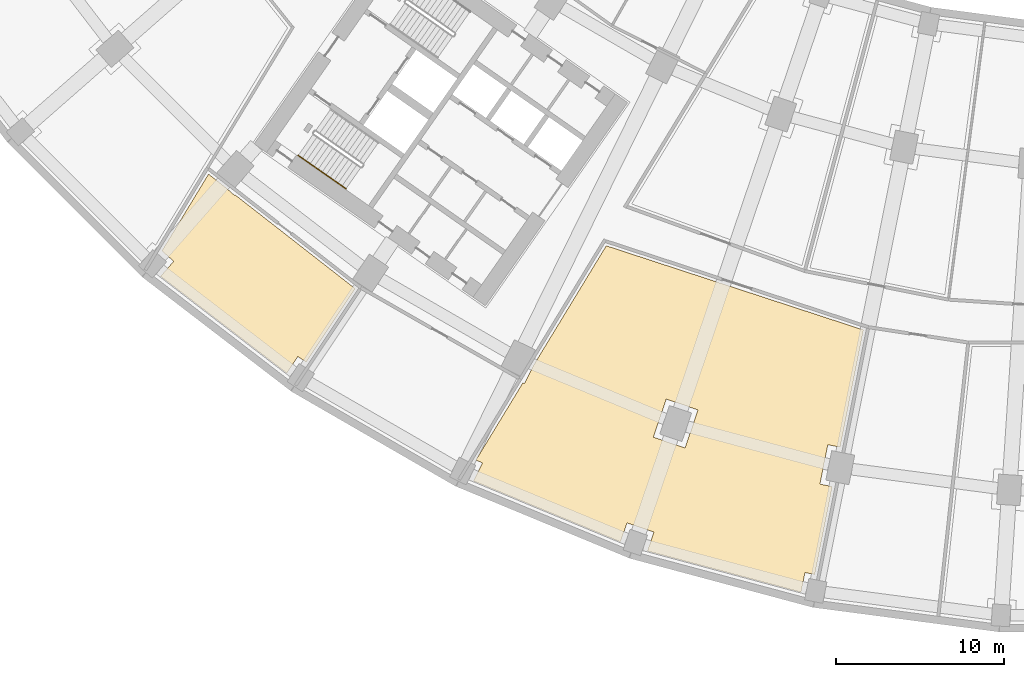
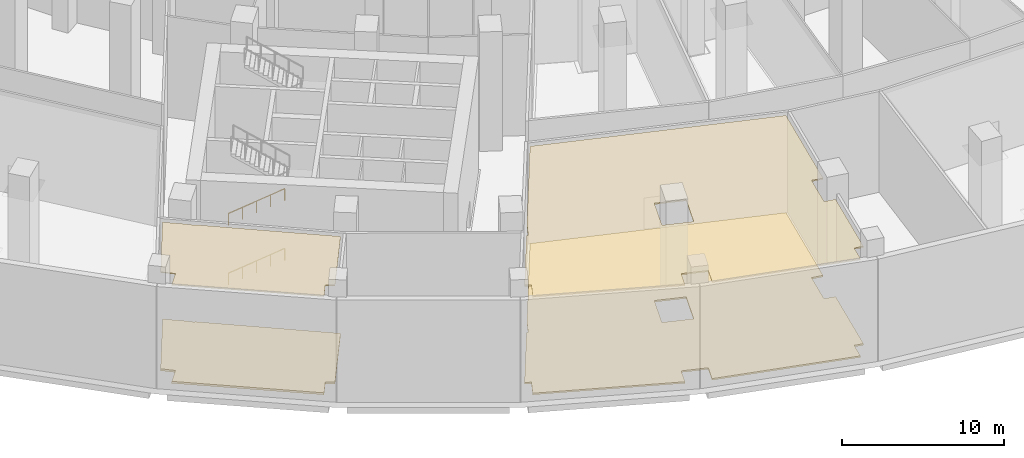
# One storey, part 13 of 19: 4 coverings, 2 railings.
"""IFC4 building model written with IfcOpenShell, lengths in metres."""

from ifc_helpers import new_model, si_unit, direction, frame, origin, origin_2d, place, context, subcontext, project, spatial, polyline, circle, outline, extrude, material, layer, layer_set, type_object, element, save


model = new_model("IFC4")

# Units and contexts
model_context = context("Model", 3, precision=1e-05, world=origin(), true_north=direction((0.0, 1.0)))
body_context = subcontext(model_context, "Body", "Model", "MODEL_VIEW")
ifc_project = project(units=[si_unit("LENGTHUNIT", "METRE"), si_unit("AREAUNIT", "SQUARE_METRE"), si_unit("VOLUMEUNIT", "CUBIC_METRE"), si_unit("PLANEANGLEUNIT", "RADIAN"), si_unit("MASSUNIT", "GRAM", prefix="KILO")], contexts=[model_context])

# Site, building, storey
site_placement = place(None, origin())
site = spatial("IfcSite", under=ifc_project, at=site_placement, CompositionType="ELEMENT")
building_placement = place(site_placement, origin())
building = spatial("IfcBuilding", under=site, at=building_placement, Name="Qamariyya Broadcast Tower", CompositionType="ELEMENT")
storey_placement = place(building_placement, frame((0.0, 0.0, 9.0)))
storey = spatial("IfcBuildingStorey", under=building, at=storey_placement, Name="L01", CompositionType="ELEMENT", Elevation=9.0)

# Coverings
ifc_material_1 = material(Name="Floating timber studio floor", Category="wood")
ifc_layer_1 = layer(ifc_material_1, 0.1201171875)
ifc_layer_set_1 = layer_set([ifc_layer_1], Name="Floating studio floor 120")
covering_type_1 = type_object("IfcCoveringType", Name="Floating studio floor 120", PredefinedType="FLOORING", material=ifc_layer_set_1)
covering_1_placement = place(storey_placement, origin())
element("IfcCovering", 1, at=covering_1_placement, inside=storey, type_object=covering_type_1, Name="Flooring L01-F01", PredefinedType="FLOORING", context=body_context, shape_type="SweptSolid", body=[
    extrude(outline(polyline([(-34.021728515625, -71.25048828125), (-33.504638671875, -70.20166015625), (-29.134765625, -63.015625), (-13.78857421875, -68.0390625), (-15.179443359375, -75.0302734375), (-15.9150390625, -74.884033203125), (-16.383056640625, -77.23779296875), (-15.6474609375, -77.38427734375), (-16.69140625, -82.63134765625), (-17.27978515625, -82.514404296875), (-17.512451171875, -83.684326171875), (-26.67578125, -81.22900390625), (-26.29248046875, -80.099365234375), (-27.90234375, -79.552978515625), (-28.28564453125, -80.682373046875), (-37.050048828125, -77.052001953125), (-36.522705078125, -75.982421875), (-36.9052734375, -75.793701171875), (-34.114501953125, -71.20458984375), (-34.021728515625, -71.25048828125)]), holes=[polyline([(-26.324462890625, -74.438720703125), (-24.4306640625, -75.08154296875), (-23.6591796875, -72.808837890625), (-25.55322265625, -72.166015625), (-26.324462890625, -74.438720703125)])]), origin(), (0.0, 0.0, 1.0), 0.1201171875),
])
ifc_material_2 = material(Name="Raised access floor")
ifc_layer_2 = layer(ifc_material_2, 0.14990234375)
ifc_layer_set_2 = layer_set([ifc_layer_2], Name="Raised access floor 150")
covering_type_2 = type_object("IfcCoveringType", Name="Raised access floor 150", PredefinedType="FLOORING", material=ifc_layer_set_2)
covering_2_placement = place(storey_placement, origin())
element("IfcCovering", 2, at=covering_2_placement, inside=storey, type_object=covering_type_2, Name="Flooring L01-F09", PredefinedType="FLOORING", context=body_context, shape_type="SweptSolid", body=[
    extrude(outline(polyline([(-51.303466796875, -60.01708984375), (-51.275390625, -59.98486328125), (-44.11572265625, -65.573974609375), (-47.04248046875, -69.9541015625), (-47.541259765625, -69.62060546875), (-48.2041015625, -70.6123046875), (-55.730224609375, -64.83740234375), (-54.94384765625, -63.9404296875), (-55.64990234375, -63.3212890625), (-52.867919921875, -58.74169921875), (-51.865234375, -59.5244140625), (-51.303466796875, -60.01708984375)])), origin(), (0.0, 0.0, 1.0), 0.14990234375),
])

# Railings
ifc_material_3 = material(Name="Stainless steel", Category="steel")
railing_type = type_object("IfcRailingType", Name="Stair handrail", PredefinedType="HANDRAIL", material=ifc_material_3)
for number, where, name in (
    (3, (-47.513427734375, -57.617431640625, 0.173095703125), "L01 ST-W1 stair handrail 1"),
    (4, (-47.513427734375, -57.617431640625, 4.673095703125), "L01 ST-W1 stair handrail 3"),
):
    element("IfcRailing", number, at=place(storey_placement, frame(where)), inside=storey, type_object=railing_type, Name=name, PredefinedType="HANDRAIL", context=body_context, shape_type="SweptSolid", body=[
        extrude(circle(Radius=0.02392578125, at=origin_2d()), frame((0.0, 0.0, 0.8759765625), z_axis=(0.703423072377, -0.49252265477, 0.512462111562), x_axis=(0.573561211868, 0.819162704376, 0.0)), (0.0, 0.0, 1.0), 4.052734375),
        extrude(circle(Radius=0.02099609375, at=origin_2d()), origin(), (0.0, 0.0, 1.0), 0.851806640625),
        extrude(circle(Radius=0.02099609375, at=origin_2d()), frame((0.712646484375, -0.4990234375, 0.519287109375)), (0.0, 0.0, 1.0), 0.851806640625),
        extrude(circle(Radius=0.02099609375, at=origin_2d()), frame((1.42529296875, -0.998046875, 1.03857421875)), (0.0, 0.0, 1.0), 0.851806640625),
        extrude(circle(Radius=0.02099609375, at=origin_2d()), frame((2.13818359375, -1.4970703125, 1.5576171875)), (0.0, 0.0, 1.0), 0.851806640625),
        extrude(circle(Radius=0.02099609375, at=origin_2d()), frame((2.850830078125, -1.99609375, 2.076904296875)), (0.0, 0.0, 1.0), 0.851806640625),
    ])

# Coverings
ifc_material_4 = material(Name="Acoustic mineral fibre ceiling")
ifc_layer_3 = layer(ifc_material_4, 0.10009765625)
ifc_layer_set_3 = layer_set([ifc_layer_3], Name="Studio acoustic ceiling 100")
covering_type_3 = type_object("IfcCoveringType", Name="Studio acoustic ceiling 100", PredefinedType="CEILING", material=ifc_layer_set_3)
covering_3_placement = place(storey_placement, frame((0.0, 0.0, 7.35009765625)))
element("IfcCovering", 5, at=covering_3_placement, inside=storey, type_object=covering_type_3, Name="Ceiling L01-C01", PredefinedType="CEILING", context=body_context, shape_type="SweptSolid", body=[
    extrude(outline(polyline([(-34.021728515625, -71.25048828125), (-33.504638671875, -70.20166015625), (-29.134765625, -63.015625), (-13.78857421875, -68.0390625), (-15.179443359375, -75.0302734375), (-15.9150390625, -74.884033203125), (-16.383056640625, -77.23779296875), (-15.6474609375, -77.38427734375), (-16.69140625, -82.63134765625), (-17.27978515625, -82.514404296875), (-17.512451171875, -83.684326171875), (-26.67578125, -81.22900390625), (-26.29248046875, -80.099365234375), (-27.90234375, -79.552978515625), (-28.28564453125, -80.682373046875), (-37.050048828125, -77.052001953125), (-36.522705078125, -75.982421875), (-36.9052734375, -75.793701171875), (-34.114501953125, -71.20458984375), (-34.021728515625, -71.25048828125)]), holes=[polyline([(-26.324462890625, -74.438720703125), (-24.4306640625, -75.08154296875), (-23.6591796875, -72.808837890625), (-25.55322265625, -72.166015625), (-26.324462890625, -74.438720703125)])]), origin(), (0.0, 0.0, 1.0), 0.099853515625),
])
ifc_material_5 = material(Name="Perforated plasterboard ceiling")
ifc_layer_4 = layer(ifc_material_5, 0.06005859375)
ifc_layer_set_4 = layer_set([ifc_layer_4], Name="Suspended acoustic ceiling 60")
covering_type_4 = type_object("IfcCoveringType", Name="Suspended acoustic ceiling 60", PredefinedType="CEILING", material=ifc_layer_set_4)
covering_4_placement = place(storey_placement, frame((0.0, 0.0, 7.389892578125)))
element("IfcCovering", 6, at=covering_4_placement, inside=storey, type_object=covering_type_4, Name="Ceiling L01-C09", PredefinedType="CEILING", context=body_context, shape_type="SweptSolid", body=[
    extrude(outline(polyline([(-51.303466796875, -60.01708984375), (-51.275390625, -59.98486328125), (-44.11572265625, -65.573974609375), (-47.04248046875, -69.9541015625), (-47.541259765625, -69.62060546875), (-48.2041015625, -70.6123046875), (-55.730224609375, -64.83740234375), (-54.94384765625, -63.9404296875), (-55.64990234375, -63.3212890625), (-52.867919921875, -58.74169921875), (-51.865234375, -59.5244140625), (-51.303466796875, -60.01708984375)])), origin(), (0.0, 0.0, 1.0), 0.06005859375),
])

save(model, "model.ifc")
